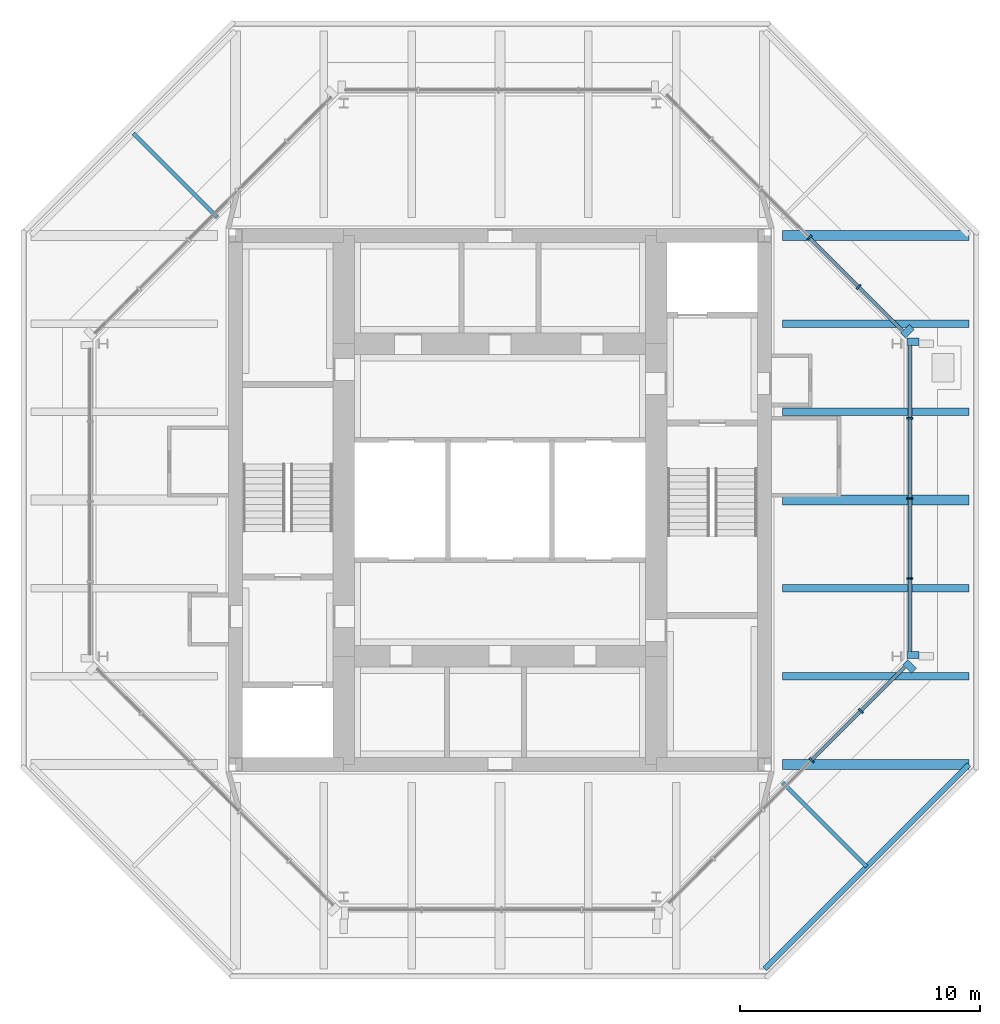
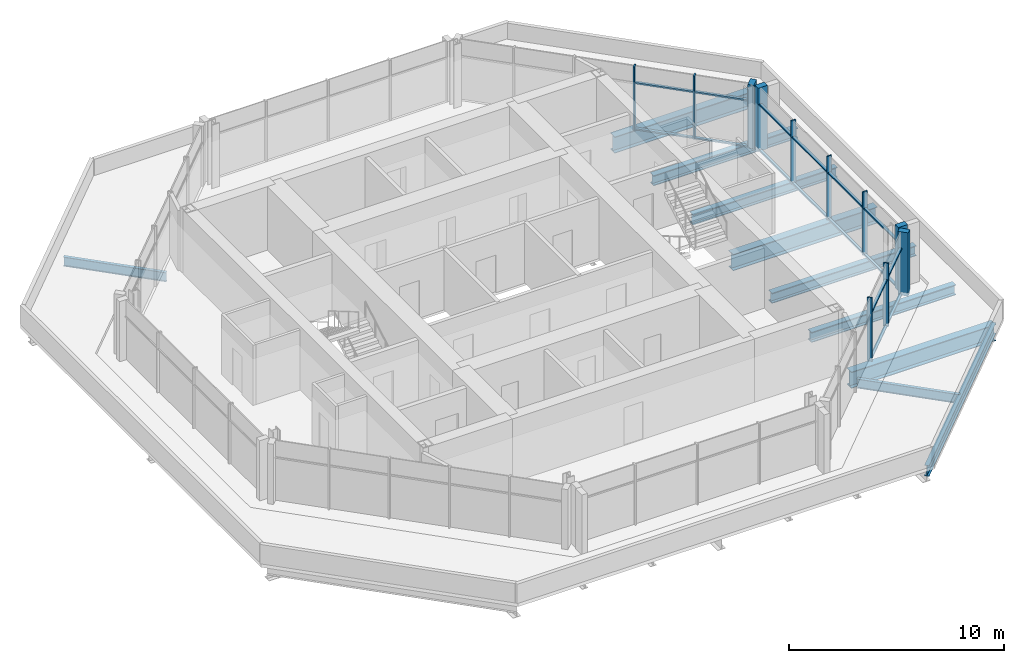
# One storey, part 4 of 10: 27 members, 10 beams, 3 elements without a shape of their own.
"""IFC4 building model written with IfcOpenShell, lengths in metres."""

import ifcopenshell
import ifcopenshell.guid

model = None  # the IFC model being written
_history = None  # IfcOwnerHistory: only IFC2X3 demands one
_inside = {}  # id of a spatial element -> (the spatial element, [elements in it])
_under = {}  # id of a project, library or spatial element -> (it, [spatial elements below it])
_declared = {}  # id of a project -> (the project, [libraries it declares])
_typed = {}  # id of a type object -> (the type object, [elements of that type])
_made_of = {}  # id of a material, layer set ... -> (it, [elements and type objects made of it])


def new_model(schema):
    """Start an empty IFC model of exactly this schema.

    Asked for "IFC4X3", IfcOpenShell would pick the latest addendum, in which some entities
    have other attributes; the version numbers below select the first issue.
    IFC2X3 requires an IfcOwnerHistory on every rooted entity: one is made here for all.
    """
    global model, _history
    if schema == "IFC4X3":
        model = ifcopenshell.file(schema_version=(4, 3, 0, 0))
    else:
        model = ifcopenshell.file(schema=schema)
    _inside.clear()
    _under.clear()
    _declared.clear()
    _typed.clear()
    _made_of.clear()
    _history = None
    if model.schema == "IFC2X3":
        org = make("IfcOrganization", Name="unknown")
        user = make(
            "IfcPersonAndOrganization",
            ThePerson=make("IfcPerson", FamilyName="unknown"),
            TheOrganization=org,
        )
        app = make(
            "IfcApplication",
            ApplicationDeveloper=org,
            Version="unknown",
            ApplicationFullName="unknown",
            ApplicationIdentifier="unknown",
        )
        _history = make(
            "IfcOwnerHistory",
            OwningUser=user,
            OwningApplication=app,
            ChangeAction="ADDED",
            CreationDate=0,
        )
    return model


def make(cls, **values):
    """One entity of the class cls with the attributes given. An attribute that is None is left unset."""
    return model.create_entity(
        cls, **{name: value for name, value in values.items() if value is not None}
    )


def rooted(cls, **values):
    """An entity with a GlobalId (a new one), such as an element, a storey or a relation."""
    return make(cls, GlobalId=ifcopenshell.guid.new(), OwnerHistory=_history, **values)


def si_unit(unit_type, name, prefix=None):
    """IfcSIUnit, for example si_unit("LENGTHUNIT", "METRE", prefix="MILLI")."""
    return make("IfcSIUnit", UnitType=unit_type, Prefix=prefix, Name=name)


def assignment(units):
    """IfcUnitAssignment: the units of a project."""
    return None if units is None else make("IfcUnitAssignment", Units=units)


def point(xyz):
    """IfcCartesianPoint."""
    return None if xyz is None else make("IfcCartesianPoint", Coordinates=xyz)


def direction(xyz):
    """IfcDirection."""
    return None if xyz is None else make("IfcDirection", DirectionRatios=xyz)


def frame(location, z_axis=None, x_axis=None):
    """IfcAxis2Placement3D, a coordinate frame: its origin and axes. An axis left out is left unset."""
    return make(
        "IfcAxis2Placement3D",
        Location=point(location),
        Axis=direction(z_axis),
        RefDirection=direction(x_axis),
    )


def frame_2d(location, x_axis=None):
    """IfcAxis2Placement2D, a coordinate frame in the plane: its origin and x axis."""
    return make(
        "IfcAxis2Placement2D", Location=point(location), RefDirection=direction(x_axis)
    )


def origin():
    """The frame at (0, 0, 0) with its axes left unset."""
    return frame((0.0, 0.0, 0.0))


def origin_2d():
    """The frame at (0, 0) in the plane with its x axis left unset."""
    return frame_2d((0.0, 0.0))


def place(relative_to, where):
    """IfcLocalPlacement: puts the frame where relative to a parent placement (None: the world)."""
    return make(
        "IfcLocalPlacement", PlacementRelTo=relative_to, RelativePlacement=where
    )


def context(
    kind, dimensions, precision=None, world=None, true_north=None, identifier=None
):
    """IfcGeometricRepresentationContext, for example the 3D "Model" context."""
    return make(
        "IfcGeometricRepresentationContext",
        ContextIdentifier=identifier,
        ContextType=kind,
        CoordinateSpaceDimension=dimensions,
        Precision=precision,
        WorldCoordinateSystem=world,
        TrueNorth=true_north,
    )


def subcontext(parent, identifier, kind, view, scale=None):
    """IfcGeometricRepresentationSubContext, for example "Body" below "Model"."""
    return make(
        "IfcGeometricRepresentationSubContext",
        ContextIdentifier=identifier,
        ContextType=kind,
        ParentContext=parent,
        TargetScale=scale,
        TargetView=view,
    )


def project(units=None, contexts=None):
    """IfcProject with its units and contexts."""
    return rooted(
        "IfcProject",
        Name="project",
        RepresentationContexts=contexts,
        UnitsInContext=assignment(units),
    )


def spatial(cls, under=None, at=None, **own):
    """A site, building, storey or space (cls), placed at a placement, below another one or the project."""
    s = rooted(cls, ObjectPlacement=at, **own)
    if under is not None:
        _under.setdefault(under.id(), (under, []))[1].append(s)
    return s


def profile(cls, at=None, kind="AREA", **sizes):
    """A parametric profile (cls). Its sizes go by their IFC names, for example OverallWidth=200.0."""
    return make(cls, ProfileType=kind, Position=at, **sizes)


def rectangle(**sizes):
    """IfcRectangleProfileDef."""
    return profile("IfcRectangleProfileDef", **sizes)


def i_section(**sizes):
    """IfcIShapeProfileDef."""
    return profile("IfcIShapeProfileDef", **sizes)


def extrude(swept, where, along, depth):
    """IfcExtrudedAreaSolid: the profile swept, set in the frame where, extruded along a direction by depth."""
    return make(
        "IfcExtrudedAreaSolid",
        SweptArea=swept,
        Position=where,
        ExtrudedDirection=direction(along),
        Depth=depth,
    )


def shape(context_of_items, identifier, shape_type, items):
    """IfcShapeRepresentation: the items that make up one representation, for example the "Body"."""
    return make(
        "IfcShapeRepresentation",
        ContextOfItems=context_of_items,
        RepresentationIdentifier=identifier,
        RepresentationType=shape_type,
        Items=items,
    )


def material(Name=None, Category=None):
    """IfcMaterial."""
    return make("IfcMaterial", Name=Name, Category=Category)


def material_profile(
    of_material, cross_section, Name=None, Category=None, Priority=None
):
    """IfcMaterialProfile: a cross section and its material."""
    return make(
        "IfcMaterialProfile",
        Name=Name,
        Material=of_material,
        Profile=cross_section,
        Priority=Priority,
        Category=Category,
    )


def profile_set(profiles, Name=None, composite=None):
    """IfcMaterialProfileSet."""
    return make(
        "IfcMaterialProfileSet",
        Name=Name,
        MaterialProfiles=profiles,
        CompositeProfile=composite,
    )


def made_of(thing, what):
    """Note that an element or type object is made of a material, layer set ...; save() writes the relation."""
    if what is not None:
        _made_of.setdefault(what.id(), (what, []))[1].append(thing)
    return thing


def type_object(cls, material=None, **own):
    """A type object (cls), such as IfcWallType, which elements share."""
    return made_of(rooted(cls, **own), material)


def element(
    cls,
    number,
    at=None,
    inside=None,
    cuts=None,
    type_object=None,
    material=None,
    context=None,
    identifier="Body",
    shape_type=None,
    held_by="IfcProductDefinitionShape",
    body=None,
    shapes=None,
    **own,
):
    """One element of the class cls, such as IfcWall. Its Tag is "e" and its number.

    at: its placement. inside: the storey or other place that contains it. cuts: it is an
    opening in that element (IfcRelVoidsElement). A single representation is given by context,
    identifier, shape_type and body (its items); several are given by shapes. held_by: the class
    of the entity that holds the representations. save() writes the other relations.
    """
    e = rooted(cls, Tag="e%d" % number, ObjectPlacement=at, **own)
    if body is not None:
        shapes = [shape(context, identifier, shape_type, body)]
    if shapes is not None:
        e.Representation = make(held_by, Representations=shapes)
    if inside is not None:
        _inside.setdefault(inside.id(), (inside, []))[1].append(e)
    if cuts is not None:
        rooted(
            "IfcRelVoidsElement", RelatingBuildingElement=cuts, RelatedOpeningElement=e
        )
    if type_object is not None:
        _typed.setdefault(type_object.id(), (type_object, []))[1].append(e)
    return made_of(e, material)


def aggregate(whole, parts):
    """IfcRelAggregates: a whole, such as a stair, and the parts it consists of."""
    return rooted("IfcRelAggregates", RelatingObject=whole, RelatedObjects=parts)


def save(model, path):
    """Write the relations noted so far, then the file.

    IfcRelAggregates (storeys below a building ...), IfcRelContainedInSpatialStructure (elements
    in a storey), IfcRelDefinesByType, IfcRelAssociatesMaterial and IfcRelDeclares: one each for
    every whole, place, type object, material and project.
    """
    for whole, parts in _under.values():
        aggregate(whole, parts)
    for where, things in _inside.values():
        rooted(
            "IfcRelContainedInSpatialStructure",
            RelatedElements=things,
            RelatingStructure=where,
        )
    for kind, things in _typed.values():
        rooted("IfcRelDefinesByType", RelatedObjects=things, RelatingType=kind)
    for what, things in _made_of.values():
        rooted("IfcRelAssociatesMaterial", RelatedObjects=things, RelatingMaterial=what)
    for by, libraries in _declared.values():
        rooted("IfcRelDeclares", RelatingContext=by, RelatedDefinitions=libraries)
    model.write(path)


model = new_model("IFC4")

# Units and contexts
model_context = context("Model", 3, precision=1e-05, world=origin(), true_north=direction((0.0, 1.0)))
body_context = subcontext(model_context, "Body", "Model", "MODEL_VIEW")
ifc_project = project(units=[si_unit("LENGTHUNIT", "METRE"), si_unit("AREAUNIT", "SQUARE_METRE"), si_unit("VOLUMEUNIT", "CUBIC_METRE"), si_unit("PLANEANGLEUNIT", "RADIAN"), si_unit("MASSUNIT", "GRAM", prefix="KILO")], contexts=[model_context])

# Site, building, storey
site_placement = place(None, origin())
site = spatial("IfcSite", under=ifc_project, at=site_placement, CompositionType="ELEMENT")
building_placement = place(site_placement, origin())
building = spatial("IfcBuilding", under=site, at=building_placement, Name="Trevanion Tower", CompositionType="ELEMENT")
storey_placement = place(building_placement, frame((0.0, 0.0, 263.199951171875)))
storey = spatial("IfcBuildingStorey", under=building, at=storey_placement, Name="L64", CompositionType="ELEMENT", Elevation=263.199951171875)

# Beams
ifc_material_1 = material(Name="Steel ASTM A992 Grade 50", Category="steel")
ifc_material_profile_1 = material_profile(ifc_material_1, i_section(OverallWidth=0.320068359375, OverallDepth=0.584228515625, WebThickness=0.023193359375, FlangeThickness=0.04150390625, at=origin_2d()), Name="W21X201")
ifc_profile_set_1 = profile_set([ifc_material_profile_1], Name="Steel ASTM A992 Grade 50")
beam_type_1 = type_object("IfcBeamType", Name="B13 W21X201", PredefinedType="BEAM", material=ifc_profile_set_1)
for number, where, z_axis, x_axis, name in (
    (1, (11.75, -7.333251953125, -0.48193359375), (1.0, 0.0, 0.0), (0.0, 1.0, 0.0), "B13 L64"),
    (2, (11.75, -3.666748046875, -0.48193359375), (1.0, 0.0, 0.0), (0.0, 1.0, 0.0), "B13 L64"),
    (3, (11.75, 3.666748046875, -0.48193359375), (1.0, 0.0, 0.0), (0.0, 1.0, 0.0), "B13 L64"),
    (4, (11.75, 7.333251953125, -0.48193359375), (1.0, 0.0, 0.0), (0.0, 1.0, 0.0), "B13 L64"),
):
    element("IfcBeam", number, at=place(storey_placement, frame(where, z_axis=z_axis, x_axis=x_axis)), inside=storey, type_object=beam_type_1, Name=name, PredefinedType="BEAM", context=body_context, shape_type="SweptSolid", body=[
        extrude(i_section(OverallWidth=0.320068359375, OverallDepth=0.584228515625, WebThickness=0.023193359375, FlangeThickness=0.04150390625, at=origin_2d()), origin(), (0.0, 0.0, 1.0), 7.75),
    ])
ifc_material_2 = material(Name="Steel ASTM A992 Grade 50", Category="steel")
ifc_material_profile_2 = material_profile(ifc_material_2, i_section(OverallWidth=0.1650390625, OverallDepth=0.52587890625, WebThickness=0.0087890625, FlangeThickness=0.011474609375, at=origin_2d()), Name="W21X44")
ifc_profile_set_2 = profile_set([ifc_material_profile_2], Name="Steel ASTM A992 Grade 50")
beam_type_2 = type_object("IfcBeamType", Name="B14 W21X44", PredefinedType="BEAM", material=ifc_profile_set_2)
for number, where, z_axis, x_axis, name in (
    (5, (-11.75, 11.75, -0.452880859375), (-0.707106781187, 0.707106781187, 0.0), (-0.707106781187, -0.707106781187, 0.0), "B14 L64"),
    (6, (11.75, -11.75, -0.452880859375), (0.707106781187, -0.707106781187, 0.0), (0.707106781187, 0.707106781187, 0.0), "B14 L64"),
):
    element("IfcBeam", number, at=place(storey_placement, frame(where, z_axis=z_axis, x_axis=x_axis)), inside=storey, type_object=beam_type_2, Name=name, PredefinedType="BEAM", context=body_context, shape_type="SweptSolid", body=[
        extrude(i_section(OverallWidth=0.1650390625, OverallDepth=0.52587890625, WebThickness=0.0087890625, FlangeThickness=0.011474609375, at=origin_2d()), origin(), (0.0, 0.0, 1.0), 4.94970703125),
    ])

# Curtain wall, members
ifc_material_3 = material(Name="Aluminium and glass", Category="aluminium")
curtain_wall_type = type_object("IfcCurtainWallType", Name="CW4 curtain wall", PredefinedType="USERDEFINED", material=ifc_material_3)
curtain_wall_1_placement = place(storey_placement, origin())
curtain_wall_1 = element("IfcCurtainWall", 7, at=curtain_wall_1_placement, inside=storey, type_object=curtain_wall_type, Name="CW4 L64 0", ObjectType="UNITISED CURTAIN WALL", PredefinedType="USERDEFINED")
ifc_material_4 = material(Name="Aluminium extrusion, anodised bronze", Category="aluminium")
ifc_material_profile_3 = material_profile(ifc_material_4, rectangle(XDim=0.074951171875, YDim=0.25, at=origin_2d()), Name="CW4 mullion")
ifc_profile_set_3 = profile_set([ifc_material_profile_3], Name="Aluminium extrusion, anodised bronze")
member_type_1 = type_object("IfcMemberType", Name="CW4 mullion", PredefinedType="MULLION", material=ifc_profile_set_3)
member_1_placement = place(storey_placement, frame((17.050048828125, -3.266357421875, -0.18994140625), z_axis=(0.0, 0.0, 1.0), x_axis=(0.0, 1.0, 0.0)))
member_1 = element("IfcMember", 8, at=member_1_placement, type_object=member_type_1, Name="CW4 mullion 2", PredefinedType="MULLION", context=body_context, shape_type="SweptSolid", body=[
    extrude(rectangle(XDim=0.074951171875, YDim=0.25, at=origin_2d()), origin(), (0.0, 0.0, 1.0), 3.60009765625),
])
member_2_placement = place(storey_placement, frame((17.050048828125, 0.06494140625, -0.18994140625), z_axis=(0.0, 0.0, 1.0), x_axis=(0.0, 1.0, 0.0)))
member_2 = element("IfcMember", 9, at=member_2_placement, type_object=member_type_1, Name="CW4 mullion 3", PredefinedType="MULLION", context=body_context, shape_type="SweptSolid", body=[
    extrude(rectangle(XDim=0.074951171875, YDim=0.25, at=origin_2d()), origin(), (0.0, 0.0, 1.0), 3.60009765625),
])
member_3_placement = place(storey_placement, frame((17.050048828125, 3.396484375, -0.18994140625), z_axis=(0.0, 0.0, 1.0), x_axis=(0.0, 1.0, 0.0)))
member_3 = element("IfcMember", 10, at=member_3_placement, type_object=member_type_1, Name="CW4 mullion 4", PredefinedType="MULLION", context=body_context, shape_type="SweptSolid", body=[
    extrude(rectangle(XDim=0.074951171875, YDim=0.25, at=origin_2d()), origin(), (0.0, 0.0, 1.0), 3.60009765625),
])

curtain_wall_2_placement = place(storey_placement, origin())
curtain_wall_2 = element("IfcCurtainWall", 11, at=curtain_wall_2_placement, inside=storey, type_object=curtain_wall_type, Name="CW4 L64 1", ObjectType="UNITISED CURTAIN WALL", PredefinedType="USERDEFINED")
member_4_placement = place(storey_placement, frame((14.912109375, 8.86572265625, -0.18994140625), z_axis=(0.0, 0.0, 1.0), x_axis=(-0.707106781187, 0.707106781187, 0.0)))
member_4 = element("IfcMember", 12, at=member_4_placement, type_object=member_type_1, Name="CW4 mullion 2", PredefinedType="MULLION", context=body_context, shape_type="SweptSolid", body=[
    extrude(rectangle(XDim=0.074951171875, YDim=0.25, at=origin_2d()), origin(), (0.0, 0.0, 1.0), 3.60009765625),
])
member_5_placement = place(storey_placement, frame((12.865966796875, 10.911865234375, -0.18994140625), z_axis=(0.0, 0.0, 1.0), x_axis=(-0.707106781187, 0.707106781187, 0.0)))
member_5 = element("IfcMember", 13, at=member_5_placement, type_object=member_type_1, Name="CW4 mullion 3", PredefinedType="MULLION", context=body_context, shape_type="SweptSolid", body=[
    extrude(rectangle(XDim=0.074951171875, YDim=0.25, at=origin_2d()), origin(), (0.0, 0.0, 1.0), 3.60009765625),
])

curtain_wall_3_placement = place(storey_placement, origin())
curtain_wall_3 = element("IfcCurtainWall", 14, at=curtain_wall_3_placement, inside=storey, type_object=curtain_wall_type, Name="CW4 L64 7", ObjectType="UNITISED CURTAIN WALL", PredefinedType="USERDEFINED")
member_6_placement = place(storey_placement, frame((12.9580078125, -10.81982421875, -0.18994140625), z_axis=(0.0, 0.0, 1.0), x_axis=(0.707106781187, 0.707106781187, 0.0)))
member_6 = element("IfcMember", 15, at=member_6_placement, type_object=member_type_1, Name="CW4 mullion 4", PredefinedType="MULLION", context=body_context, shape_type="SweptSolid", body=[
    extrude(rectangle(XDim=0.074951171875, YDim=0.25, at=origin_2d()), origin(), (0.0, 0.0, 1.0), 3.60009765625),
])
member_7_placement = place(storey_placement, frame((15.00390625, -8.77392578125, -0.18994140625), z_axis=(0.0, 0.0, 1.0), x_axis=(0.707106781187, 0.707106781187, 0.0)))
member_7 = element("IfcMember", 16, at=member_7_placement, type_object=member_type_1, Name="CW4 mullion 5", PredefinedType="MULLION", context=body_context, shape_type="SweptSolid", body=[
    extrude(rectangle(XDim=0.074951171875, YDim=0.25, at=origin_2d()), origin(), (0.0, 0.0, 1.0), 3.60009765625),
])

# Member
ifc_material_5 = material(Name="Aluminium extrusion, anodised bronze", Category="aluminium")
ifc_material_profile_4 = material_profile(ifc_material_5, rectangle(XDim=0.300048828125, YDim=0.5, at=origin_2d()), Name="CW4 pier mullion")
ifc_profile_set_4 = profile_set([ifc_material_profile_4], Name="Aluminium extrusion, anodised bronze")
member_type_2 = type_object("IfcMemberType", Name="CW4 pier mullion", PredefinedType="MULLION", material=ifc_profile_set_4)
member_8_placement = place(storey_placement, frame((17.175048828125, -6.44775390625, -0.18994140625), z_axis=(0.0, 0.0, 1.0), x_axis=(0.0, 1.0, 0.0)))
member_8 = element("IfcMember", 17, at=member_8_placement, type_object=member_type_2, Name="CW4 pier mullion 1", PredefinedType="MULLION", context=body_context, shape_type="SweptSolid", body=[
    extrude(rectangle(XDim=0.300048828125, YDim=0.5, at=origin_2d()), origin(), (0.0, 0.0, 1.0), 3.60009765625),
])

member_9_placement = place(storey_placement, frame((17.175048828125, 6.577880859375, -0.18994140625), z_axis=(0.0, 0.0, 1.0), x_axis=(0.0, 1.0, 0.0)))
member_9 = element("IfcMember", 18, at=member_9_placement, type_object=member_type_2, Name="CW4 pier mullion 5", PredefinedType="MULLION", context=body_context, shape_type="SweptSolid", body=[
    extrude(rectangle(XDim=0.300048828125, YDim=0.5, at=origin_2d()), origin(), (0.0, 0.0, 1.0), 3.60009765625),
])

member_10_placement = place(storey_placement, frame((16.9404296875, 7.01416015625, -0.18994140625), z_axis=(0.0, 0.0, 1.0), x_axis=(-0.707106781187, 0.707106781187, 0.0)))
member_10 = element("IfcMember", 19, at=member_10_placement, type_object=member_type_2, Name="CW4 pier mullion 1", PredefinedType="MULLION", context=body_context, shape_type="SweptSolid", body=[
    extrude(rectangle(XDim=0.300048828125, YDim=0.5, at=origin_2d()), origin(), (0.0, 0.0, 1.0), 3.60009765625),
])

member_11_placement = place(storey_placement, frame((17.0322265625, -6.92236328125, -0.18994140625), z_axis=(0.0, 0.0, 1.0), x_axis=(0.707106781187, 0.707106781187, 0.0)))
member_11 = element("IfcMember", 20, at=member_11_placement, type_object=member_type_2, Name="CW4 pier mullion 6", PredefinedType="MULLION", context=body_context, shape_type="SweptSolid", body=[
    extrude(rectangle(XDim=0.300048828125, YDim=0.5, at=origin_2d()), origin(), (0.0, 0.0, 1.0), 3.60009765625),
])

ifc_material_6 = material(Name="Aluminium extrusion, anodised bronze", Category="aluminium")
ifc_material_profile_5 = material_profile(ifc_material_6, rectangle(XDim=0.14990234375, YDim=0.074951171875, at=origin_2d()), Name="CW4 transom")
ifc_profile_set_5 = profile_set([ifc_material_profile_5], Name="Aluminium extrusion, anodised bronze")
member_type_3 = type_object("IfcMemberType", Name="CW4 transom", PredefinedType="USERDEFINED", material=ifc_profile_set_5)
member_12_placement = place(storey_placement, frame((17.050048828125, -6.2978515625, -0.15234375), z_axis=(0.0, 1.0, 0.0), x_axis=(-1.0, 0.0, 0.0)))
member_12 = element("IfcMember", 21, at=member_12_placement, type_object=member_type_3, Name="CW4 transom 1.1", ObjectType="TRANSOM", PredefinedType="USERDEFINED", context=body_context, shape_type="SweptSolid", body=[
    extrude(rectangle(XDim=0.14990234375, YDim=0.074951171875, at=origin_2d()), origin(), (0.0, 0.0, 1.0), 2.993896484375),
])

member_13_placement = place(storey_placement, frame((17.050048828125, -6.2978515625, 2.4599609375), z_axis=(0.0, 1.0, 0.0), x_axis=(-1.0, 0.0, 0.0)))
member_13 = element("IfcMember", 22, at=member_13_placement, type_object=member_type_3, Name="CW4 transom 1.2", ObjectType="TRANSOM", PredefinedType="USERDEFINED", context=body_context, shape_type="SweptSolid", body=[
    extrude(rectangle(XDim=0.14990234375, YDim=0.074951171875, at=origin_2d()), origin(), (0.0, 0.0, 1.0), 2.993896484375),
])

member_14_placement = place(storey_placement, frame((17.050048828125, -3.22900390625, -0.15234375), z_axis=(0.0, 1.0, 0.0), x_axis=(-1.0, 0.0, 0.0)))
member_14 = element("IfcMember", 23, at=member_14_placement, type_object=member_type_3, Name="CW4 transom 2.1", ObjectType="TRANSOM", PredefinedType="USERDEFINED", context=body_context, shape_type="SweptSolid", body=[
    extrude(rectangle(XDim=0.14990234375, YDim=0.074951171875, at=origin_2d()), origin(), (0.0, 0.0, 1.0), 3.256591796875),
])

member_15_placement = place(storey_placement, frame((17.050048828125, -3.22900390625, 2.4599609375), z_axis=(0.0, 1.0, 0.0), x_axis=(-1.0, 0.0, 0.0)))
member_15 = element("IfcMember", 24, at=member_15_placement, type_object=member_type_3, Name="CW4 transom 2.2", ObjectType="TRANSOM", PredefinedType="USERDEFINED", context=body_context, shape_type="SweptSolid", body=[
    extrude(rectangle(XDim=0.14990234375, YDim=0.074951171875, at=origin_2d()), origin(), (0.0, 0.0, 1.0), 3.256591796875),
])

member_16_placement = place(storey_placement, frame((17.050048828125, 0.1025390625, -0.15234375), z_axis=(0.0, 1.0, 0.0), x_axis=(-1.0, 0.0, 0.0)))
member_16 = element("IfcMember", 25, at=member_16_placement, type_object=member_type_3, Name="CW4 transom 3.1", ObjectType="TRANSOM", PredefinedType="USERDEFINED", context=body_context, shape_type="SweptSolid", body=[
    extrude(rectangle(XDim=0.14990234375, YDim=0.074951171875, at=origin_2d()), origin(), (0.0, 0.0, 1.0), 3.25634765625),
])

member_17_placement = place(storey_placement, frame((17.050048828125, 0.1025390625, 2.4599609375), z_axis=(0.0, 1.0, 0.0), x_axis=(-1.0, 0.0, 0.0)))
member_17 = element("IfcMember", 26, at=member_17_placement, type_object=member_type_3, Name="CW4 transom 3.2", ObjectType="TRANSOM", PredefinedType="USERDEFINED", context=body_context, shape_type="SweptSolid", body=[
    extrude(rectangle(XDim=0.14990234375, YDim=0.074951171875, at=origin_2d()), origin(), (0.0, 0.0, 1.0), 3.25634765625),
])

member_18_placement = place(storey_placement, frame((17.050048828125, 3.433837890625, -0.15234375), z_axis=(0.0, 1.0, 0.0), x_axis=(-1.0, 0.0, 0.0)))
member_18 = element("IfcMember", 27, at=member_18_placement, type_object=member_type_3, Name="CW4 transom 4.1", ObjectType="TRANSOM", PredefinedType="USERDEFINED", context=body_context, shape_type="SweptSolid", body=[
    extrude(rectangle(XDim=0.14990234375, YDim=0.074951171875, at=origin_2d()), origin(), (0.0, 0.0, 1.0), 2.993896484375),
])

member_19_placement = place(storey_placement, frame((17.050048828125, 3.433837890625, 2.4599609375), z_axis=(0.0, 1.0, 0.0), x_axis=(-1.0, 0.0, 0.0)))
member_19 = element("IfcMember", 28, at=member_19_placement, type_object=member_type_3, Name="CW4 transom 4.2", ObjectType="TRANSOM", PredefinedType="USERDEFINED", context=body_context, shape_type="SweptSolid", body=[
    extrude(rectangle(XDim=0.14990234375, YDim=0.074951171875, at=origin_2d()), origin(), (0.0, 0.0, 1.0), 2.993896484375),
])

aggregate(curtain_wall_1, [member_8, member_1, member_2, member_3, member_9, member_12, member_13, member_14, member_15, member_16, member_17, member_18, member_19])

member_20_placement = place(storey_placement, frame((16.745849609375, 7.031982421875, -0.15234375), z_axis=(-0.707106781187, 0.707106781187, 0.0), x_axis=(-0.707106781187, -0.707106781187, 0.0)))
member_20 = element("IfcMember", 29, at=member_20_placement, type_object=member_type_3, Name="CW4 transom 1.1", ObjectType="TRANSOM", PredefinedType="USERDEFINED", context=body_context, shape_type="SweptSolid", body=[
    extrude(rectangle(XDim=0.14990234375, YDim=0.074951171875, at=origin_2d()), origin(), (0.0, 0.0, 1.0), 2.555908203125),
])

member_21_placement = place(storey_placement, frame((16.745849609375, 7.031982421875, 2.4599609375), z_axis=(-0.707106781187, 0.707106781187, 0.0), x_axis=(-0.707106781187, -0.707106781187, 0.0)))
member_21 = element("IfcMember", 30, at=member_21_placement, type_object=member_type_3, Name="CW4 transom 1.2", ObjectType="TRANSOM", PredefinedType="USERDEFINED", context=body_context, shape_type="SweptSolid", body=[
    extrude(rectangle(XDim=0.14990234375, YDim=0.074951171875, at=origin_2d()), origin(), (0.0, 0.0, 1.0), 2.555908203125),
])

member_22_placement = place(storey_placement, frame((14.885498046875, 8.892333984375, -0.15234375), z_axis=(-0.707106781187, 0.707106781187, 0.0), x_axis=(-0.707106781187, -0.707106781187, 0.0)))
member_22 = element("IfcMember", 31, at=member_22_placement, type_object=member_type_3, Name="CW4 transom 2.1", ObjectType="TRANSOM", PredefinedType="USERDEFINED", context=body_context, shape_type="SweptSolid", body=[
    extrude(rectangle(XDim=0.14990234375, YDim=0.074951171875, at=origin_2d()), origin(), (0.0, 0.0, 1.0), 2.818359375),
])

member_23_placement = place(storey_placement, frame((14.885498046875, 8.892333984375, 2.4599609375), z_axis=(-0.707106781187, 0.707106781187, 0.0), x_axis=(-0.707106781187, -0.707106781187, 0.0)))
member_23 = element("IfcMember", 32, at=member_23_placement, type_object=member_type_3, Name="CW4 transom 2.2", ObjectType="TRANSOM", PredefinedType="USERDEFINED", context=body_context, shape_type="SweptSolid", body=[
    extrude(rectangle(XDim=0.14990234375, YDim=0.074951171875, at=origin_2d()), origin(), (0.0, 0.0, 1.0), 2.818359375),
])

aggregate(curtain_wall_2, [member_10, member_4, member_5, member_20, member_21, member_22, member_23])

member_24_placement = place(storey_placement, frame((12.984375, -10.79345703125, -0.15234375), z_axis=(0.707063470815, 0.707150088905, 0.0), x_axis=(-0.707150088905, 0.707063470815, 0.0)))
member_24 = element("IfcMember", 33, at=member_24_placement, type_object=member_type_3, Name="CW4 transom 4.1", ObjectType="TRANSOM", PredefinedType="USERDEFINED", context=body_context, shape_type="SweptSolid", body=[
    extrude(rectangle(XDim=0.14990234375, YDim=0.074951171875, at=origin_2d()), origin(), (0.0, 0.0, 1.0), 2.818603515625),
])

member_25_placement = place(storey_placement, frame((12.984375, -10.79345703125, 2.4599609375), z_axis=(0.707063470815, 0.707150088905, 0.0), x_axis=(-0.707150088905, 0.707063470815, 0.0)))
member_25 = element("IfcMember", 34, at=member_25_placement, type_object=member_type_3, Name="CW4 transom 4.2", ObjectType="TRANSOM", PredefinedType="USERDEFINED", context=body_context, shape_type="SweptSolid", body=[
    extrude(rectangle(XDim=0.14990234375, YDim=0.074951171875, at=origin_2d()), origin(), (0.0, 0.0, 1.0), 2.818603515625),
])

member_26_placement = place(storey_placement, frame((15.030517578125, -8.747314453125, -0.15234375), z_axis=(0.707106781187, 0.707106781187, 0.0), x_axis=(-0.707106781187, 0.707106781187, 0.0)))
member_26 = element("IfcMember", 35, at=member_26_placement, type_object=member_type_3, Name="CW4 transom 5.1", ObjectType="TRANSOM", PredefinedType="USERDEFINED", context=body_context, shape_type="SweptSolid", body=[
    extrude(rectangle(XDim=0.14990234375, YDim=0.074951171875, at=origin_2d()), origin(), (0.0, 0.0, 1.0), 2.555908203125),
])

member_27_placement = place(storey_placement, frame((15.030517578125, -8.747314453125, 2.4599609375), z_axis=(0.707106781187, 0.707106781187, 0.0), x_axis=(-0.707106781187, 0.707106781187, 0.0)))
member_27 = element("IfcMember", 36, at=member_27_placement, type_object=member_type_3, Name="CW4 transom 5.2", ObjectType="TRANSOM", PredefinedType="USERDEFINED", context=body_context, shape_type="SweptSolid", body=[
    extrude(rectangle(XDim=0.14990234375, YDim=0.074951171875, at=origin_2d()), origin(), (0.0, 0.0, 1.0), 2.555908203125),
])

aggregate(curtain_wall_3, [member_6, member_7, member_11, member_24, member_25, member_26, member_27])

# Beams
ifc_material_7 = material(Name="Steel ASTM A992 Grade 50", Category="steel")
ifc_material_profile_6 = material_profile(ifc_material_7, i_section(OverallWidth=0.419189453125, OverallDepth=0.927001953125, WebThickness=0.019287109375, FlangeThickness=0.031982421875, at=origin_2d()), Name="W36X231")
ifc_profile_set_6 = profile_set([ifc_material_profile_6], Name="Steel ASTM A992 Grade 50")
beam_type_3 = type_object("IfcBeamType", Name="G7 W36X231", PredefinedType="BEAM", material=ifc_profile_set_6)
for number, where, z_axis, x_axis, name in (
    (37, (11.75, -11.0, -0.653564453125), (1.0, 0.0, 0.0), (0.0, 1.0, 0.0), "G7 L64"),
    (38, (11.75, 0.0, -0.653564453125), (1.0, 0.0, 0.0), (0.0, 1.0, 0.0), "G7 L64"),
    (39, (11.75, 11.0, -0.653564453125), (1.0, 0.0, 0.0), (0.0, 1.0, 0.0), "G7 L64"),
):
    element("IfcBeam", number, at=place(storey_placement, frame(where, z_axis=z_axis, x_axis=x_axis)), inside=storey, type_object=beam_type_3, Name=name, PredefinedType="BEAM", context=body_context, shape_type="SweptSolid", body=[
        extrude(i_section(OverallWidth=0.419189453125, OverallDepth=0.927001953125, WebThickness=0.019287109375, FlangeThickness=0.031982421875, at=origin_2d()), origin(), (0.0, 0.0, 1.0), 7.75),
    ])
ifc_material_8 = material(Name="Steel ASTM A992 Grade 50", Category="steel")
ifc_material_profile_7 = material_profile(ifc_material_8, i_section(OverallWidth=0.22900390625, OverallDepth=0.612060546875, WebThickness=0.011962890625, FlangeThickness=0.01953125, at=origin_2d()), Name="W24X84")
ifc_profile_set_7 = profile_set([ifc_material_profile_7], Name="Steel ASTM A992 Grade 50")
beam_type_4 = type_object("IfcBeamType", Name="SB11 W24X84", PredefinedType="SPANDREL", material=ifc_profile_set_7)
beam_placement = place(storey_placement, frame((11.0, -19.5, -0.49609375), z_axis=(0.707106781187, 0.707106781187, 0.0), x_axis=(-0.707106781187, 0.707106781187, 0.0)))
element("IfcBeam", 40, at=beam_placement, inside=storey, type_object=beam_type_4, Name="SB11 L64", PredefinedType="SPANDREL", context=body_context, shape_type="SweptSolid", body=[
    extrude(i_section(OverallWidth=0.22900390625, OverallDepth=0.612060546875, WebThickness=0.011962890625, FlangeThickness=0.01953125, at=origin_2d()), origin(), (0.0, 0.0, 1.0), 12.020751953125),
])

save(model, "model.ifc")
